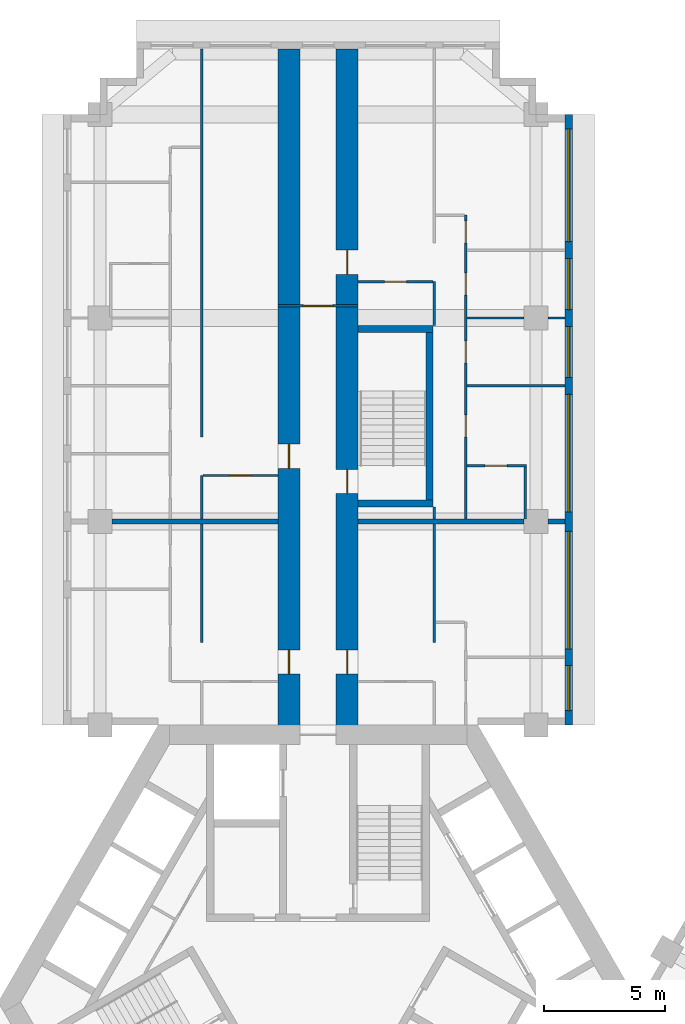
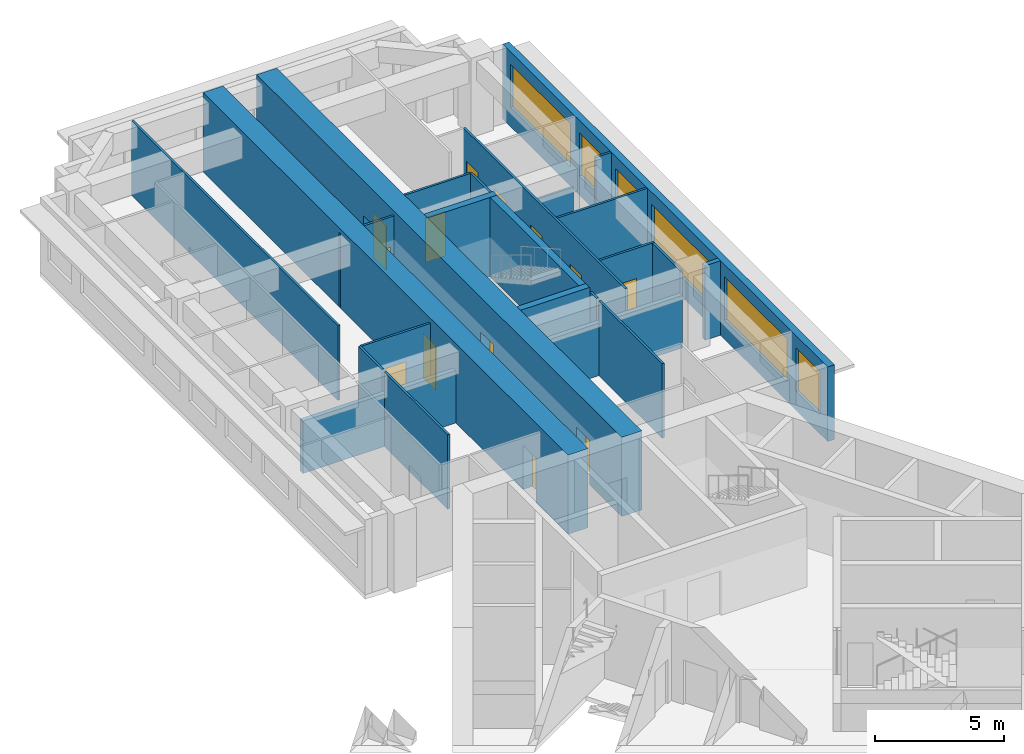
# One storey, part 9 of 13: 24 walls, 13 doors, 6 windows, 19 openings.
"""IFC4 building model written with IfcOpenShell, lengths in metres."""

import ifcopenshell
import ifcopenshell.guid

model = None  # the IFC model being written
_history = None  # IfcOwnerHistory: only IFC2X3 demands one
_inside = {}  # id of a spatial element -> (the spatial element, [elements in it])
_under = {}  # id of a project, library or spatial element -> (it, [spatial elements below it])
_declared = {}  # id of a project -> (the project, [libraries it declares])
_typed = {}  # id of a type object -> (the type object, [elements of that type])
_made_of = {}  # id of a material, layer set ... -> (it, [elements and type objects made of it])


def new_model(schema):
    """Start an empty IFC model of exactly this schema.

    Asked for "IFC4X3", IfcOpenShell would pick the latest addendum, in which some entities
    have other attributes; the version numbers below select the first issue.
    IFC2X3 requires an IfcOwnerHistory on every rooted entity: one is made here for all.
    """
    global model, _history
    if schema == "IFC4X3":
        model = ifcopenshell.file(schema_version=(4, 3, 0, 0))
    else:
        model = ifcopenshell.file(schema=schema)
    _inside.clear()
    _under.clear()
    _declared.clear()
    _typed.clear()
    _made_of.clear()
    _history = None
    if model.schema == "IFC2X3":
        org = make("IfcOrganization", Name="unknown")
        user = make(
            "IfcPersonAndOrganization",
            ThePerson=make("IfcPerson", FamilyName="unknown"),
            TheOrganization=org,
        )
        app = make(
            "IfcApplication",
            ApplicationDeveloper=org,
            Version="unknown",
            ApplicationFullName="unknown",
            ApplicationIdentifier="unknown",
        )
        _history = make(
            "IfcOwnerHistory",
            OwningUser=user,
            OwningApplication=app,
            ChangeAction="ADDED",
            CreationDate=0,
        )
    return model


def make(cls, **values):
    """One entity of the class cls with the attributes given. An attribute that is None is left unset."""
    return model.create_entity(
        cls, **{name: value for name, value in values.items() if value is not None}
    )


def rooted(cls, **values):
    """An entity with a GlobalId (a new one), such as an element, a storey or a relation."""
    return make(cls, GlobalId=ifcopenshell.guid.new(), OwnerHistory=_history, **values)


def si_unit(unit_type, name, prefix=None):
    """IfcSIUnit, for example si_unit("LENGTHUNIT", "METRE", prefix="MILLI")."""
    return make("IfcSIUnit", UnitType=unit_type, Prefix=prefix, Name=name)


def assignment(units):
    """IfcUnitAssignment: the units of a project."""
    return None if units is None else make("IfcUnitAssignment", Units=units)


def point(xyz):
    """IfcCartesianPoint."""
    return None if xyz is None else make("IfcCartesianPoint", Coordinates=xyz)


def direction(xyz):
    """IfcDirection."""
    return None if xyz is None else make("IfcDirection", DirectionRatios=xyz)


def frame(location, z_axis=None, x_axis=None):
    """IfcAxis2Placement3D, a coordinate frame: its origin and axes. An axis left out is left unset."""
    return make(
        "IfcAxis2Placement3D",
        Location=point(location),
        Axis=direction(z_axis),
        RefDirection=direction(x_axis),
    )


def frame_2d(location, x_axis=None):
    """IfcAxis2Placement2D, a coordinate frame in the plane: its origin and x axis."""
    return make(
        "IfcAxis2Placement2D", Location=point(location), RefDirection=direction(x_axis)
    )


def origin():
    """The frame at (0, 0, 0) with its axes left unset."""
    return frame((0.0, 0.0, 0.0))


def place(relative_to, where):
    """IfcLocalPlacement: puts the frame where relative to a parent placement (None: the world)."""
    return make(
        "IfcLocalPlacement", PlacementRelTo=relative_to, RelativePlacement=where
    )


def context(
    kind, dimensions, precision=None, world=None, true_north=None, identifier=None
):
    """IfcGeometricRepresentationContext, for example the 3D "Model" context."""
    return make(
        "IfcGeometricRepresentationContext",
        ContextIdentifier=identifier,
        ContextType=kind,
        CoordinateSpaceDimension=dimensions,
        Precision=precision,
        WorldCoordinateSystem=world,
        TrueNorth=true_north,
    )


def subcontext(parent, identifier, kind, view, scale=None):
    """IfcGeometricRepresentationSubContext, for example "Body" below "Model"."""
    return make(
        "IfcGeometricRepresentationSubContext",
        ContextIdentifier=identifier,
        ContextType=kind,
        ParentContext=parent,
        TargetScale=scale,
        TargetView=view,
    )


def project(units=None, contexts=None):
    """IfcProject with its units and contexts."""
    return rooted(
        "IfcProject",
        Name="project",
        RepresentationContexts=contexts,
        UnitsInContext=assignment(units),
    )


def spatial(cls, under=None, at=None, **own):
    """A site, building, storey or space (cls), placed at a placement, below another one or the project."""
    s = rooted(cls, ObjectPlacement=at, **own)
    if under is not None:
        _under.setdefault(under.id(), (under, []))[1].append(s)
    return s


def profile(cls, at=None, kind="AREA", **sizes):
    """A parametric profile (cls). Its sizes go by their IFC names, for example OverallWidth=200.0."""
    return make(cls, ProfileType=kind, Position=at, **sizes)


def rectangle(**sizes):
    """IfcRectangleProfileDef."""
    return profile("IfcRectangleProfileDef", **sizes)


def extrude(swept, where, along, depth):
    """IfcExtrudedAreaSolid: the profile swept, set in the frame where, extruded along a direction by depth."""
    return make(
        "IfcExtrudedAreaSolid",
        SweptArea=swept,
        Position=where,
        ExtrudedDirection=direction(along),
        Depth=depth,
    )


def shape(context_of_items, identifier, shape_type, items):
    """IfcShapeRepresentation: the items that make up one representation, for example the "Body"."""
    return make(
        "IfcShapeRepresentation",
        ContextOfItems=context_of_items,
        RepresentationIdentifier=identifier,
        RepresentationType=shape_type,
        Items=items,
    )


def material(Name=None, Category=None):
    """IfcMaterial."""
    return make("IfcMaterial", Name=Name, Category=Category)


def layer(
    of_material, thickness, ventilated=None, Name=None, Category=None, Priority=None
):
    """IfcMaterialLayer: one layer of a wall or slab, of a material (None: an air gap)."""
    return make(
        "IfcMaterialLayer",
        Material=of_material,
        LayerThickness=thickness,
        IsVentilated=ventilated,
        Name=Name,
        Category=Category,
        Priority=Priority,
    )


def layer_set(layers, Name=None):
    """IfcMaterialLayerSet."""
    return make("IfcMaterialLayerSet", MaterialLayers=layers, LayerSetName=Name)


def made_of(thing, what):
    """Note that an element or type object is made of a material, layer set ...; save() writes the relation."""
    if what is not None:
        _made_of.setdefault(what.id(), (what, []))[1].append(thing)
    return thing


def type_object(cls, material=None, **own):
    """A type object (cls), such as IfcWallType, which elements share."""
    return made_of(rooted(cls, **own), material)


def element(
    cls,
    number,
    at=None,
    inside=None,
    cuts=None,
    type_object=None,
    material=None,
    context=None,
    identifier="Body",
    shape_type=None,
    held_by="IfcProductDefinitionShape",
    body=None,
    shapes=None,
    **own,
):
    """One element of the class cls, such as IfcWall. Its Tag is "e" and its number.

    at: its placement. inside: the storey or other place that contains it. cuts: it is an
    opening in that element (IfcRelVoidsElement). A single representation is given by context,
    identifier, shape_type and body (its items); several are given by shapes. held_by: the class
    of the entity that holds the representations. save() writes the other relations.
    """
    e = rooted(cls, Tag="e%d" % number, ObjectPlacement=at, **own)
    if body is not None:
        shapes = [shape(context, identifier, shape_type, body)]
    if shapes is not None:
        e.Representation = make(held_by, Representations=shapes)
    if inside is not None:
        _inside.setdefault(inside.id(), (inside, []))[1].append(e)
    if cuts is not None:
        rooted(
            "IfcRelVoidsElement", RelatingBuildingElement=cuts, RelatedOpeningElement=e
        )
    if type_object is not None:
        _typed.setdefault(type_object.id(), (type_object, []))[1].append(e)
    return made_of(e, material)


def fill(opening, filler):
    """IfcRelFillsElement: the door or window that sits in an opening."""
    return rooted(
        "IfcRelFillsElement",
        RelatingOpeningElement=opening,
        RelatedBuildingElement=filler,
    )


def aggregate(whole, parts):
    """IfcRelAggregates: a whole, such as a stair, and the parts it consists of."""
    return rooted("IfcRelAggregates", RelatingObject=whole, RelatedObjects=parts)


def save(model, path):
    """Write the relations noted so far, then the file.

    IfcRelAggregates (storeys below a building ...), IfcRelContainedInSpatialStructure (elements
    in a storey), IfcRelDefinesByType, IfcRelAssociatesMaterial and IfcRelDeclares: one each for
    every whole, place, type object, material and project.
    """
    for whole, parts in _under.values():
        aggregate(whole, parts)
    for where, things in _inside.values():
        rooted(
            "IfcRelContainedInSpatialStructure",
            RelatedElements=things,
            RelatingStructure=where,
        )
    for kind, things in _typed.values():
        rooted("IfcRelDefinesByType", RelatedObjects=things, RelatingType=kind)
    for what, things in _made_of.values():
        rooted("IfcRelAssociatesMaterial", RelatedObjects=things, RelatingMaterial=what)
    for by, libraries in _declared.values():
        rooted("IfcRelDeclares", RelatingContext=by, RelatedDefinitions=libraries)
    model.write(path)


model = new_model("IFC4")

# Units and contexts
model_context = context("Model", 3, precision=1e-05, world=origin(), true_north=direction((0.0, 1.0)))
body_context = subcontext(model_context, "Body", "Model", "MODEL_VIEW")
ifc_project = project(units=[si_unit("LENGTHUNIT", "METRE"), si_unit("AREAUNIT", "SQUARE_METRE"), si_unit("VOLUMEUNIT", "CUBIC_METRE"), si_unit("PLANEANGLEUNIT", "RADIAN"), si_unit("MASSUNIT", "GRAM", prefix="KILO")], contexts=[model_context])

# Site, building, storey
site_placement = place(None, origin())
site = spatial("IfcSite", under=ifc_project, at=site_placement, CompositionType="ELEMENT")
building_placement = place(site_placement, origin())
building = spatial("IfcBuilding", under=site, at=building_placement, Name="Impinga Residences", CompositionType="ELEMENT")
storey_placement = place(building_placement, frame((0.0, 0.0, 151.0)))
storey = spatial("IfcBuildingStorey", under=building, at=storey_placement, Name="L37", CompositionType="ELEMENT", Elevation=151.0)

# Wall, openings, doors
ifc_material_1 = material(Name="Concrete C60/75", Category="concrete")
ifc_layer_1 = layer(ifc_material_1, 0.89990234375)
ifc_layer_set_1 = layer_set([ifc_layer_1], Name="Concrete C60/75")
wall_type_1 = type_object("IfcWallType", Name="BW2 corridor buttress wall, L24 to L44 900", PredefinedType="SHEAR", material=ifc_layer_set_1)
wall_1_placement = place(storey_placement, frame((-1.199951171875, 11.031494140625, 0.0), z_axis=(0.0, 0.0, 1.0), x_axis=(0.0, 1.0, 0.0)))
wall_1 = element("IfcWall", 1, at=wall_1_placement, inside=storey, type_object=wall_type_1, Name="Corridor wall BW2 NC L37", PredefinedType="SHEAR", context=body_context, shape_type="SweptSolid", body=[
    extrude(rectangle(XDim=28.300048828125, YDim=0.89990234375, at=frame_2d((14.14990234375, 0.0))), origin(), (0.0, 0.0, 1.0), 3.75),
])
opening_1_placement = place(wall_1_placement, frame((2.5, 0.0, 0.0)))
opening_1 = element("IfcOpeningElement", 2, at=opening_1_placement, cuts=wall_1, Name="Opening D1", PredefinedType="OPENING", context=body_context, shape_type="SweptSolid", body=[
    extrude(rectangle(XDim=1.0, YDim=2.10009765625, at=frame_2d((0.5, 1.050048828125))), frame((0.0, 0.4599609375, 0.0), z_axis=(0.0, -1.0, 0.0), x_axis=(1.0, 0.0, 0.0)), (0.0, 0.0, 1.0), 0.919921875),
])
opening_2_placement = place(wall_1_placement, frame((11.0, 0.0, 0.0)))
opening_2 = element("IfcOpeningElement", 3, at=opening_2_placement, cuts=wall_1, Name="Opening D1", PredefinedType="OPENING", context=body_context, shape_type="SweptSolid", body=[
    extrude(rectangle(XDim=1.0, YDim=2.10009765625, at=frame_2d((0.5, 1.050048828125))), frame((0.0, 0.4599609375, 0.0), z_axis=(0.0, -1.0, 0.0), x_axis=(1.0, 0.0, 0.0)), (0.0, 0.0, 1.0), 0.919921875),
])
ifc_material_2 = material(Name="Timber door set", Category="wood")
door_type_1 = type_object("IfcDoorType", Name="D1 apartment entrance door 1000x2100", OperationType="SINGLE_SWING_LEFT", PredefinedType="DOOR", material=ifc_material_2)
door_1_placement = place(opening_1_placement, origin())
door_1 = element("IfcDoor", 4, at=door_1_placement, inside=storey, type_object=door_type_1, Name="Apartment L37-NA1 entrance", OperationType="SINGLE_SWING_LEFT", OverallHeight=2.10009765625, OverallWidth=1.0, PredefinedType="DOOR", context=body_context, shape_type="SweptSolid", body=[
    extrude(rectangle(XDim=1.0, YDim=2.10009765625, at=frame_2d((0.5, 1.050048828125))), frame((0.0, 0.02490234375, 0.0), z_axis=(0.0, -1.0, 0.0), x_axis=(1.0, 0.0, 0.0)), (0.0, 0.0, 1.0), 0.050048828125),
])
fill(opening_1, door_1)
door_2_placement = place(opening_2_placement, origin())
door_2 = element("IfcDoor", 5, at=door_2_placement, inside=storey, type_object=door_type_1, Name="Apartment L37-NA2 entrance", OperationType="SINGLE_SWING_LEFT", OverallHeight=2.10009765625, OverallWidth=1.0, PredefinedType="DOOR", context=body_context, shape_type="SweptSolid", body=[
    extrude(rectangle(XDim=1.0, YDim=2.10009765625, at=frame_2d((0.5, 1.050048828125))), frame((0.0, 0.02490234375, 0.0), z_axis=(0.0, -1.0, 0.0), x_axis=(1.0, 0.0, 0.0)), (0.0, 0.0, 1.0), 0.050048828125),
])
fill(opening_2, door_2)

wall_2_placement = place(storey_placement, frame((1.199951171875, 11.031494140625, 0.0), z_axis=(0.0, 0.0, 1.0), x_axis=(0.0, 1.0, 0.0)))
wall_2 = element("IfcWall", 6, at=wall_2_placement, inside=storey, type_object=wall_type_1, Name="Corridor wall BW2 ND L37", PredefinedType="SHEAR", context=body_context, shape_type="SweptSolid", body=[
    extrude(rectangle(XDim=28.300048828125, YDim=0.89990234375, at=frame_2d((14.14990234375, 0.0))), origin(), (0.0, 0.0, 1.0), 3.75),
])
opening_3_placement = place(wall_2_placement, frame((9.949951171875, 0.0, 0.0)))
opening_3 = element("IfcOpeningElement", 7, at=opening_3_placement, cuts=wall_2, Name="Opening D5", PredefinedType="OPENING", context=body_context, shape_type="SweptSolid", body=[
    extrude(rectangle(XDim=1.0, YDim=2.10009765625, at=frame_2d((0.5, 1.050048828125))), frame((0.0, 0.4599609375, 0.0), z_axis=(0.0, -1.0, 0.0), x_axis=(1.0, 0.0, 0.0)), (0.0, 0.0, 1.0), 0.919921875),
])
opening_4_placement = place(wall_2_placement, frame((2.5, 0.0, 0.0)))
opening_4 = element("IfcOpeningElement", 8, at=opening_4_placement, cuts=wall_2, Name="Opening D1", PredefinedType="OPENING", context=body_context, shape_type="SweptSolid", body=[
    extrude(rectangle(XDim=1.0, YDim=2.10009765625, at=frame_2d((0.5, 1.050048828125))), frame((0.0, 0.4599609375, 0.0), z_axis=(0.0, -1.0, 0.0), x_axis=(1.0, 0.0, 0.0)), (0.0, 0.0, 1.0), 0.919921875),
])
opening_5_placement = place(wall_2_placement, frame((19.0, 0.0, 0.0)))
opening_5 = element("IfcOpeningElement", 9, at=opening_5_placement, cuts=wall_2, Name="Opening D1", PredefinedType="OPENING", context=body_context, shape_type="SweptSolid", body=[
    extrude(rectangle(XDim=1.0, YDim=2.10009765625, at=frame_2d((0.5, 1.050048828125))), frame((0.0, 0.4599609375, 0.0), z_axis=(0.0, -1.0, 0.0), x_axis=(1.0, 0.0, 0.0)), (0.0, 0.0, 1.0), 0.919921875),
])
door_3_placement = place(opening_4_placement, origin())
door_3 = element("IfcDoor", 10, at=door_3_placement, inside=storey, type_object=door_type_1, Name="Apartment L37-NF1 entrance", OperationType="SINGLE_SWING_LEFT", OverallHeight=2.10009765625, OverallWidth=1.0, PredefinedType="DOOR", context=body_context, shape_type="SweptSolid", body=[
    extrude(rectangle(XDim=1.0, YDim=2.10009765625, at=frame_2d((0.5, 1.050048828125))), frame((0.0, 0.02490234375, 0.0), z_axis=(0.0, -1.0, 0.0), x_axis=(1.0, 0.0, 0.0)), (0.0, 0.0, 1.0), 0.050048828125),
])
fill(opening_4, door_3)
door_4_placement = place(opening_5_placement, origin())
door_4 = element("IfcDoor", 11, at=door_4_placement, inside=storey, type_object=door_type_1, Name="Apartment L37-NF2 entrance", OperationType="SINGLE_SWING_RIGHT", OverallHeight=2.10009765625, OverallWidth=1.0, PredefinedType="DOOR", context=body_context, shape_type="SweptSolid", body=[
    extrude(rectangle(XDim=1.0, YDim=2.10009765625, at=frame_2d((0.5, 1.050048828125))), frame((0.0, 0.02490234375, 0.0), z_axis=(0.0, -1.0, 0.0), x_axis=(1.0, 0.0, 0.0)), (0.0, 0.0, 1.0), 0.050048828125),
])
fill(opening_5, door_4)
door_type_2 = type_object("IfcDoorType", Name="D5 stair door 1000x2100", OperationType="SINGLE_SWING_LEFT", PredefinedType="DOOR", material=ifc_material_2)
door_5_placement = place(opening_3_placement, origin())
door_5 = element("IfcDoor", 12, at=door_5_placement, inside=storey, type_object=door_type_2, Name="Wing stair door N", OperationType="SINGLE_SWING_LEFT", OverallHeight=2.10009765625, OverallWidth=1.0, PredefinedType="DOOR", context=body_context, shape_type="SweptSolid", body=[
    extrude(rectangle(XDim=1.0, YDim=2.10009765625, at=frame_2d((0.5, 1.050048828125))), frame((0.0, 0.02490234375, 0.0), z_axis=(0.0, -1.0, 0.0), x_axis=(1.0, 0.0, 0.0)), (0.0, 0.0, 1.0), 0.050048828125),
])
fill(opening_3, door_5)

# Wall, opening, door
ifc_material_3 = material(Name="Concrete blockwork", Category="masonry")
ifc_layer_2 = layer(ifc_material_3, 0.10009765625)
ifc_layer_set_2 = layer_set([ifc_layer_2], Name="CP1 core room partition, blockwork 100")
wall_type_2 = type_object("IfcWallType", Name="CP1 core room partition, blockwork 100", PredefinedType="PARTITIONING", material=ifc_layer_set_2)
wall_3_placement = place(storey_placement, frame((-1.64990234375, 28.72998046875, 0.0), z_axis=(0.0, 0.0, 1.0), x_axis=(1.0, 0.0, 0.0)))
wall_3 = element("IfcWall", 13, at=wall_3_placement, inside=storey, type_object=wall_type_2, Name="Core room partition, blockwork L37:N:SCR", PredefinedType="PARTITIONING", context=body_context, shape_type="SweptSolid", body=[
    extrude(rectangle(XDim=3.2998046875, YDim=0.10009765625, at=frame_2d((1.64990234375, 0.0))), origin(), (0.0, 0.0, 1.0), 3.530029296875),
])
opening_6_placement = place(wall_3_placement, frame((1.050048828125, 0.0, 0.0)))
opening_6 = element("IfcOpeningElement", 14, at=opening_6_placement, cuts=wall_3, Name="Opening D3", PredefinedType="OPENING", context=body_context, shape_type="SweptSolid", body=[
    extrude(rectangle(XDim=1.199951171875, YDim=2.10009765625, at=frame_2d((0.60009765625, 1.050048828125))), frame((0.0, 0.06005859375, 0.0), z_axis=(0.0, -1.0, 0.0), x_axis=(1.0, 0.0, 0.0)), (0.0, 0.0, 1.0), 0.1201171875),
])
door_type_3 = type_object("IfcDoorType", Name="D3 room door, leaf and a half 1200x2100", OperationType="DOUBLE_SWING_LEFT", PredefinedType="DOOR", material=ifc_material_2)
door_6_placement = place(opening_6_placement, origin())
door_6 = element("IfcDoor", 15, at=door_6_placement, inside=storey, type_object=door_type_3, Name="Corridor smoke door N", OperationType="DOUBLE_SWING_LEFT", OverallHeight=2.10009765625, OverallWidth=1.199951171875, PredefinedType="DOOR", context=body_context, shape_type="SweptSolid", body=[
    extrude(rectangle(XDim=1.199951171875, YDim=2.10009765625, at=frame_2d((0.60009765625, 1.050048828125))), frame((0.0, 0.02490234375, 0.0), z_axis=(0.0, -1.0, 0.0), x_axis=(1.0, 0.0, 0.0)), (0.0, 0.0, 1.0), 0.050048828125),
])
fill(opening_6, door_6)

# Wall, openings, windows
ifc_material_4 = material(Name="Terracotta rainscreen on blockwork", Category="masonry")
ifc_layer_3 = layer(ifc_material_4, 0.300048828125)
ifc_layer_set_3 = layer_set([ifc_layer_3], Name="EW1 external wall, terracotta rainscreen on blockwork 300")
wall_type_3 = type_object("IfcWallType", Name="EW1 external wall, terracotta rainscreen on blockwork 300", PredefinedType="SOLIDWALL", material=ifc_layer_set_3)
wall_4_placement = place(storey_placement, frame((10.35009765625, 36.631591796875, 0.0), z_axis=(0.0, 0.0, 1.0), x_axis=(0.0, -1.0, 0.0)))
wall_4 = element("IfcWall", 16, at=wall_4_placement, inside=storey, type_object=wall_type_3, Name="External wall EW1 L37", PredefinedType="SOLIDWALL", context=body_context, shape_type="SweptSolid", body=[
    extrude(rectangle(XDim=25.199951171875, YDim=0.300048828125, at=frame_2d((12.60009765625, 0.0))), origin(), (0.0, 0.0, 1.0), 3.530029296875),
])
opening_7_placement = place(wall_4_placement, frame((0.60009765625, 0.0, 0.89990234375)))
opening_7 = element("IfcOpeningElement", 17, at=opening_7_placement, cuts=wall_4, Name="Opening W10", PredefinedType="OPENING", context=body_context, shape_type="SweptSolid", body=[
    extrude(rectangle(XDim=4.64990234375, YDim=2.050048828125, at=frame_2d((2.324951171875, 1.02490234375))), frame((0.0, 0.159912109375, 0.0), z_axis=(0.0, -1.0, 0.0), x_axis=(1.0, 0.0, 0.0)), (0.0, 0.0, 1.0), 0.320068359375),
])
opening_8_placement = place(wall_4_placement, frame((5.949951171875, 0.0, 0.89990234375)))
opening_8 = element("IfcOpeningElement", 18, at=opening_8_placement, cuts=wall_4, Name="Opening W9", PredefinedType="OPENING", context=body_context, shape_type="SweptSolid", body=[
    extrude(rectangle(XDim=2.10009765625, YDim=2.050048828125, at=frame_2d((1.050048828125, 1.02490234375))), frame((0.0, 0.159912109375, 0.0), z_axis=(0.0, -1.0, 0.0), x_axis=(1.0, 0.0, 0.0)), (0.0, 0.0, 1.0), 0.320068359375),
])
opening_9_placement = place(wall_4_placement, frame((8.75, 0.0, 0.89990234375)))
opening_9 = element("IfcOpeningElement", 19, at=opening_9_placement, cuts=wall_4, Name="Opening W9", PredefinedType="OPENING", context=body_context, shape_type="SweptSolid", body=[
    extrude(rectangle(XDim=2.10009765625, YDim=2.050048828125, at=frame_2d((1.050048828125, 1.02490234375))), frame((0.0, 0.159912109375, 0.0), z_axis=(0.0, -1.0, 0.0), x_axis=(1.0, 0.0, 0.0)), (0.0, 0.0, 1.0), 0.320068359375),
])
opening_10_placement = place(wall_4_placement, frame((11.550048828125, 0.0, 0.89990234375)))
opening_10 = element("IfcOpeningElement", 20, at=opening_10_placement, cuts=wall_4, Name="Opening W6", PredefinedType="OPENING", context=body_context, shape_type="SweptSolid", body=[
    extrude(rectangle(XDim=4.85009765625, YDim=2.050048828125, at=frame_2d((2.425048828125, 1.02490234375))), frame((0.0, 0.159912109375, 0.0), z_axis=(0.0, -1.0, 0.0), x_axis=(1.0, 0.0, 0.0)), (0.0, 0.0, 1.0), 0.320068359375),
])
opening_11_placement = place(wall_4_placement, frame((17.199951171875, 0.0, 0.89990234375)))
opening_11 = element("IfcOpeningElement", 21, at=opening_11_placement, cuts=wall_4, Name="Opening W6", PredefinedType="OPENING", context=body_context, shape_type="SweptSolid", body=[
    extrude(rectangle(XDim=4.85009765625, YDim=2.050048828125, at=frame_2d((2.425048828125, 1.02490234375))), frame((0.0, 0.159912109375, 0.0), z_axis=(0.0, -1.0, 0.0), x_axis=(1.0, 0.0, 0.0)), (0.0, 0.0, 1.0), 0.320068359375),
])
opening_12_placement = place(wall_4_placement, frame((22.75, 0.0, 0.89990234375)))
opening_12 = element("IfcOpeningElement", 22, at=opening_12_placement, cuts=wall_4, Name="Opening W15", PredefinedType="OPENING", context=body_context, shape_type="SweptSolid", body=[
    extrude(rectangle(XDim=1.85009765625, YDim=2.050048828125, at=frame_2d((0.925048828125, 1.02490234375))), frame((0.0, 0.159912109375, 0.0), z_axis=(0.0, -1.0, 0.0), x_axis=(1.0, 0.0, 0.0)), (0.0, 0.0, 1.0), 0.320068359375),
])
ifc_material_5 = material(Name="Aluminium window, clear double glazing", Category="aluminium")
window_type_1 = type_object("IfcWindowType", Name="W10 ribbon window 4650x2050", PartitioningType="SINGLE_PANEL", PredefinedType="WINDOW", material=ifc_material_5)
window_1_placement = place(opening_7_placement, origin())
window_1 = element("IfcWindow", 23, at=window_1_placement, inside=storey, type_object=window_type_1, Name="Window L37", OverallHeight=2.050048828125, OverallWidth=4.64990234375, PartitioningType="SINGLE_PANEL", PredefinedType="WINDOW", context=body_context, shape_type="SweptSolid", body=[
    extrude(rectangle(XDim=4.64990234375, YDim=2.050048828125, at=frame_2d((2.324951171875, 1.02490234375))), frame((0.0, 0.030029296875, 0.0), z_axis=(0.0, -1.0, 0.0), x_axis=(1.0, 0.0, 0.0)), (0.0, 0.0, 1.0), 0.06005859375),
])
fill(opening_7, window_1)
window_type_2 = type_object("IfcWindowType", Name="W15 ribbon window 1850x2050", PartitioningType="SINGLE_PANEL", PredefinedType="WINDOW", material=ifc_material_5)
window_2_placement = place(opening_12_placement, origin())
window_2 = element("IfcWindow", 24, at=window_2_placement, inside=storey, type_object=window_type_2, Name="Window L37", OverallHeight=2.050048828125, OverallWidth=1.85009765625, PartitioningType="SINGLE_PANEL", PredefinedType="WINDOW", context=body_context, shape_type="SweptSolid", body=[
    extrude(rectangle(XDim=1.85009765625, YDim=2.050048828125, at=frame_2d((0.925048828125, 1.02490234375))), frame((0.0, 0.030029296875, 0.0), z_axis=(0.0, -1.0, 0.0), x_axis=(1.0, 0.0, 0.0)), (0.0, 0.0, 1.0), 0.06005859375),
])
fill(opening_12, window_2)
window_type_3 = type_object("IfcWindowType", Name="W6 ribbon window 4850x2050", PartitioningType="SINGLE_PANEL", PredefinedType="WINDOW", material=ifc_material_5)
window_3_placement = place(opening_10_placement, origin())
window_3 = element("IfcWindow", 25, at=window_3_placement, inside=storey, type_object=window_type_3, Name="Window L37", OverallHeight=2.050048828125, OverallWidth=4.85009765625, PartitioningType="SINGLE_PANEL", PredefinedType="WINDOW", context=body_context, shape_type="SweptSolid", body=[
    extrude(rectangle(XDim=4.85009765625, YDim=2.050048828125, at=frame_2d((2.425048828125, 1.02490234375))), frame((0.0, 0.030029296875, 0.0), z_axis=(0.0, -1.0, 0.0), x_axis=(1.0, 0.0, 0.0)), (0.0, 0.0, 1.0), 0.06005859375),
])
fill(opening_10, window_3)
window_4_placement = place(opening_11_placement, origin())
window_4 = element("IfcWindow", 26, at=window_4_placement, inside=storey, type_object=window_type_3, Name="Window L37", OverallHeight=2.050048828125, OverallWidth=4.85009765625, PartitioningType="SINGLE_PANEL", PredefinedType="WINDOW", context=body_context, shape_type="SweptSolid", body=[
    extrude(rectangle(XDim=4.85009765625, YDim=2.050048828125, at=frame_2d((2.425048828125, 1.02490234375))), frame((0.0, 0.030029296875, 0.0), z_axis=(0.0, -1.0, 0.0), x_axis=(1.0, 0.0, 0.0)), (0.0, 0.0, 1.0), 0.06005859375),
])
fill(opening_11, window_4)
window_type_4 = type_object("IfcWindowType", Name="W9 ribbon window 2100x2050", PartitioningType="SINGLE_PANEL", PredefinedType="WINDOW", material=ifc_material_5)
window_5_placement = place(opening_8_placement, origin())
window_5 = element("IfcWindow", 27, at=window_5_placement, inside=storey, type_object=window_type_4, Name="Window L37", OverallHeight=2.050048828125, OverallWidth=2.10009765625, PartitioningType="SINGLE_PANEL", PredefinedType="WINDOW", context=body_context, shape_type="SweptSolid", body=[
    extrude(rectangle(XDim=2.10009765625, YDim=2.050048828125, at=frame_2d((1.050048828125, 1.02490234375))), frame((0.0, 0.030029296875, 0.0), z_axis=(0.0, -1.0, 0.0), x_axis=(1.0, 0.0, 0.0)), (0.0, 0.0, 1.0), 0.06005859375),
])
fill(opening_8, window_5)
window_6_placement = place(opening_9_placement, origin())
window_6 = element("IfcWindow", 28, at=window_6_placement, inside=storey, type_object=window_type_4, Name="Window L37", OverallHeight=2.050048828125, OverallWidth=2.10009765625, PartitioningType="SINGLE_PANEL", PredefinedType="WINDOW", context=body_context, shape_type="SweptSolid", body=[
    extrude(rectangle(XDim=2.10009765625, YDim=2.050048828125, at=frame_2d((1.050048828125, 1.02490234375))), frame((0.0, 0.030029296875, 0.0), z_axis=(0.0, -1.0, 0.0), x_axis=(1.0, 0.0, 0.0)), (0.0, 0.0, 1.0), 0.06005859375),
])
fill(opening_9, window_6)

# Walls
ifc_material_6 = material(Name="Gypsum board on steel studs", Category="steel")
ifc_layer_4 = layer(ifc_material_6, 0.10009765625)
ifc_layer_set_4 = layer_set([ifc_layer_4], Name="Gypsum board on steel studs")
wall_type_4 = type_object("IfcWallType", Name="IP1 partition 100", PredefinedType="PARTITIONING", material=ifc_layer_set_4)
wall_5_placement = place(storey_placement, frame((-4.800048828125, 14.83154296875, 0.0), z_axis=(0.0, 0.0, 1.0), x_axis=(0.0, 1.0, 0.0)))
element("IfcWall", 29, at=wall_5_placement, inside=storey, type_object=wall_type_4, Name="Partition L37-NA1:DIV1", PredefinedType="PARTITIONING", context=body_context, shape_type="SweptSolid", body=[
    extrude(rectangle(XDim=4.89990234375, YDim=0.10009765625, at=frame_2d((2.449951171875, 0.0))), origin(), (0.0, 0.0, 1.0), 3.530029296875),
])
wall_6_placement = place(storey_placement, frame((-4.800048828125, 19.931640625, 0.0), z_axis=(0.0, 0.0, 1.0), x_axis=(0.0, 1.0, 0.0)))
element("IfcWall", 30, at=wall_6_placement, inside=storey, type_object=wall_type_4, Name="Partition L37-NA2:DIV0", PredefinedType="PARTITIONING", context=body_context, shape_type="SweptSolid", body=[
    extrude(rectangle(XDim=1.7998046875, YDim=0.10009765625, at=frame_2d((0.89990234375, 0.0))), origin(), (0.0, 0.0, 1.0), 3.530029296875),
])
wall_7_placement = place(storey_placement, frame((-4.800048828125, 23.33154296875, 0.0), z_axis=(0.0, 0.0, 1.0), x_axis=(0.0, 1.0, 0.0)))
element("IfcWall", 31, at=wall_7_placement, inside=storey, type_object=wall_type_4, Name="Partition L37-NA2:DIV1", PredefinedType="PARTITIONING", context=body_context, shape_type="SweptSolid", body=[
    extrude(rectangle(XDim=16.0, YDim=0.10009765625, at=frame_2d((8.0, 0.0))), origin(), (0.0, 0.0, 1.0), 3.530029296875),
])

# Wall, opening, door
wall_8_placement = place(storey_placement, frame((-1.64990234375, 21.7314453125, 0.0), z_axis=(0.0, 0.0, 1.0), x_axis=(-1.0, 0.0, 0.0)))
wall_8 = element("IfcWall", 32, at=wall_8_placement, inside=storey, type_object=wall_type_4, Name="Partition L37-NA2:IB1", PredefinedType="PARTITIONING", context=body_context, shape_type="SweptSolid", body=[
    extrude(rectangle(XDim=3.10009765625, YDim=0.10009765625, at=frame_2d((1.550048828125, 0.0))), origin(), (0.0, 0.0, 1.0), 3.530029296875),
])
opening_13_placement = place(wall_8_placement, frame((1.10009765625, 0.0, 0.0)))
opening_13 = element("IfcOpeningElement", 33, at=opening_13_placement, cuts=wall_8, Name="Opening D2", PredefinedType="OPENING", context=body_context, shape_type="SweptSolid", body=[
    extrude(rectangle(XDim=0.89990234375, YDim=2.10009765625, at=frame_2d((0.449951171875, 1.050048828125))), frame((0.0, 0.06005859375, 0.0), z_axis=(0.0, -1.0, 0.0), x_axis=(1.0, 0.0, 0.0)), (0.0, 0.0, 1.0), 0.1201171875),
])
door_type_4 = type_object("IfcDoorType", Name="D2 internal door 900x2100", OperationType="SINGLE_SWING_LEFT", PredefinedType="DOOR", material=ifc_material_2)
door_7_placement = place(opening_13_placement, origin())
door_7 = element("IfcDoor", 34, at=door_7_placement, inside=storey, type_object=door_type_4, Name="Apartment L37-NA2 bathroom door", OperationType="SINGLE_SWING_LEFT", OverallHeight=2.10009765625, OverallWidth=0.89990234375, PredefinedType="DOOR", context=body_context, shape_type="SweptSolid", body=[
    extrude(rectangle(XDim=0.89990234375, YDim=2.10009765625, at=frame_2d((0.449951171875, 1.050048828125))), frame((0.0, 0.02490234375, 0.0), z_axis=(0.0, -1.0, 0.0), x_axis=(1.0, 0.0, 0.0)), (0.0, 0.0, 1.0), 0.050048828125),
])
fill(opening_13, door_7)

# Walls
wall_9_placement = place(storey_placement, frame((4.800048828125, 14.83154296875, 0.0), z_axis=(0.0, 0.0, 1.0), x_axis=(0.0, 1.0, 0.0)))
element("IfcWall", 35, at=wall_9_placement, inside=storey, type_object=wall_type_4, Name="Partition L37-NF1:DIV1", PredefinedType="PARTITIONING", context=body_context, shape_type="SweptSolid", body=[
    extrude(rectangle(XDim=4.89990234375, YDim=0.10009765625, at=frame_2d((2.449951171875, 0.0))), origin(), (0.0, 0.0, 1.0), 3.530029296875),
])
wall_10_placement = place(storey_placement, frame((4.800048828125, 19.931640625, 0.0), z_axis=(0.0, 0.0, 1.0), x_axis=(0.0, 1.0, 0.0)))
element("IfcWall", 36, at=wall_10_placement, inside=storey, type_object=wall_type_4, Name="Partition L37-NF2:DIV0", PredefinedType="PARTITIONING", context=body_context, shape_type="SweptSolid", body=[
    extrude(rectangle(XDim=0.5, YDim=0.10009765625, at=frame_2d((0.25, 0.0))), origin(), (0.0, 0.0, 1.0), 3.530029296875),
])
wall_11_placement = place(storey_placement, frame((4.800048828125, 27.931640625, 0.0), z_axis=(0.0, 0.0, 1.0), x_axis=(0.0, 1.0, 0.0)))
element("IfcWall", 37, at=wall_11_placement, inside=storey, type_object=wall_type_4, Name="Partition L37-NF2:DIV1", PredefinedType="PARTITIONING", context=body_context, shape_type="SweptSolid", body=[
    extrude(rectangle(XDim=1.7998046875, YDim=0.10009765625, at=frame_2d((0.89990234375, 0.0))), origin(), (0.0, 0.0, 1.0), 3.530029296875),
])

# Wall, openings, doors
wall_12_placement = place(storey_placement, frame((6.10009765625, 19.931640625, 0.0), z_axis=(0.0, 0.0, 1.0), x_axis=(0.0, 1.0, 0.0)))
wall_12 = element("IfcWall", 38, at=wall_12_placement, inside=storey, type_object=wall_type_4, Name="Partition L37-NF2:STRIP", PredefinedType="PARTITIONING", context=body_context, shape_type="SweptSolid", body=[
    extrude(rectangle(XDim=12.5498046875, YDim=0.10009765625, at=frame_2d((6.27490234375, 0.0))), origin(), (0.0, 0.0, 1.0), 3.530029296875),
])
opening_14_placement = place(wall_12_placement, frame((3.39990234375, 0.0, 0.0)))
opening_14 = element("IfcOpeningElement", 39, at=opening_14_placement, cuts=wall_12, Name="Opening D2", PredefinedType="OPENING", context=body_context, shape_type="SweptSolid", body=[
    extrude(rectangle(XDim=0.89990234375, YDim=2.10009765625, at=frame_2d((0.449951171875, 1.050048828125))), frame((0.0, 0.06005859375, 0.0), z_axis=(0.0, -1.0, 0.0), x_axis=(1.0, 0.0, 0.0)), (0.0, 0.0, 1.0), 0.1201171875),
])
opening_15_placement = place(wall_12_placement, frame((6.449951171875, 0.0, 0.0)))
opening_15 = element("IfcOpeningElement", 40, at=opening_15_placement, cuts=wall_12, Name="Opening D2", PredefinedType="OPENING", context=body_context, shape_type="SweptSolid", body=[
    extrude(rectangle(XDim=0.89990234375, YDim=2.10009765625, at=frame_2d((0.449951171875, 1.050048828125))), frame((0.0, 0.06005859375, 0.0), z_axis=(0.0, -1.0, 0.0), x_axis=(1.0, 0.0, 0.0)), (0.0, 0.0, 1.0), 0.1201171875),
])
opening_16_placement = place(wall_12_placement, frame((9.25, 0.0, 0.0)))
opening_16 = element("IfcOpeningElement", 41, at=opening_16_placement, cuts=wall_12, Name="Opening D2", PredefinedType="OPENING", context=body_context, shape_type="SweptSolid", body=[
    extrude(rectangle(XDim=0.89990234375, YDim=2.10009765625, at=frame_2d((0.449951171875, 1.050048828125))), frame((0.0, 0.06005859375, 0.0), z_axis=(0.0, -1.0, 0.0), x_axis=(1.0, 0.0, 0.0)), (0.0, 0.0, 1.0), 0.1201171875),
])
opening_17_placement = place(wall_12_placement, frame((11.39990234375, 0.0, 0.0)))
opening_17 = element("IfcOpeningElement", 42, at=opening_17_placement, cuts=wall_12, Name="Opening D2", PredefinedType="OPENING", context=body_context, shape_type="SweptSolid", body=[
    extrude(rectangle(XDim=0.89990234375, YDim=2.10009765625, at=frame_2d((0.449951171875, 1.050048828125))), frame((0.0, 0.06005859375, 0.0), z_axis=(0.0, -1.0, 0.0), x_axis=(1.0, 0.0, 0.0)), (0.0, 0.0, 1.0), 0.1201171875),
])
door_8_placement = place(opening_14_placement, origin())
door_8 = element("IfcDoor", 43, at=door_8_placement, inside=storey, type_object=door_type_4, Name="Apartment L37-NF2 room door", OperationType="SINGLE_SWING_LEFT", OverallHeight=2.10009765625, OverallWidth=0.89990234375, PredefinedType="DOOR", context=body_context, shape_type="SweptSolid", body=[
    extrude(rectangle(XDim=0.89990234375, YDim=2.10009765625, at=frame_2d((0.449951171875, 1.050048828125))), frame((0.0, 0.02490234375, 0.0), z_axis=(0.0, -1.0, 0.0), x_axis=(1.0, 0.0, 0.0)), (0.0, 0.0, 1.0), 0.050048828125),
])
fill(opening_14, door_8)
door_9_placement = place(opening_15_placement, origin())
door_9 = element("IfcDoor", 44, at=door_9_placement, inside=storey, type_object=door_type_4, Name="Apartment L37-NF2 room door", OperationType="SINGLE_SWING_RIGHT", OverallHeight=2.10009765625, OverallWidth=0.89990234375, PredefinedType="DOOR", context=body_context, shape_type="SweptSolid", body=[
    extrude(rectangle(XDim=0.89990234375, YDim=2.10009765625, at=frame_2d((0.449951171875, 1.050048828125))), frame((0.0, 0.02490234375, 0.0), z_axis=(0.0, -1.0, 0.0), x_axis=(1.0, 0.0, 0.0)), (0.0, 0.0, 1.0), 0.050048828125),
])
fill(opening_15, door_9)
door_10_placement = place(opening_16_placement, origin())
door_10 = element("IfcDoor", 45, at=door_10_placement, inside=storey, type_object=door_type_4, Name="Apartment L37-NF2 room door", OperationType="SINGLE_SWING_RIGHT", OverallHeight=2.10009765625, OverallWidth=0.89990234375, PredefinedType="DOOR", context=body_context, shape_type="SweptSolid", body=[
    extrude(rectangle(XDim=0.89990234375, YDim=2.10009765625, at=frame_2d((0.449951171875, 1.050048828125))), frame((0.0, 0.02490234375, 0.0), z_axis=(0.0, -1.0, 0.0), x_axis=(1.0, 0.0, 0.0)), (0.0, 0.0, 1.0), 0.050048828125),
])
fill(opening_16, door_10)
door_11_placement = place(opening_17_placement, origin())
door_11 = element("IfcDoor", 46, at=door_11_placement, inside=storey, type_object=door_type_4, Name="Apartment L37-NF2 room door", OperationType="SINGLE_SWING_RIGHT", OverallHeight=2.10009765625, OverallWidth=0.89990234375, PredefinedType="DOOR", context=body_context, shape_type="SweptSolid", body=[
    extrude(rectangle(XDim=0.89990234375, YDim=2.10009765625, at=frame_2d((0.449951171875, 1.050048828125))), frame((0.0, 0.02490234375, 0.0), z_axis=(0.0, -1.0, 0.0), x_axis=(1.0, 0.0, 0.0)), (0.0, 0.0, 1.0), 0.050048828125),
])
fill(opening_17, door_11)

# Wall, opening, door
wall_13_placement = place(storey_placement, frame((1.64990234375, 29.7314453125, 0.0), z_axis=(0.0, 0.0, 1.0), x_axis=(1.0, 0.0, 0.0)))
wall_13 = element("IfcWall", 47, at=wall_13_placement, inside=storey, type_object=wall_type_4, Name="Partition L37-NF2:IB1", PredefinedType="PARTITIONING", context=body_context, shape_type="SweptSolid", body=[
    extrude(rectangle(XDim=3.10009765625, YDim=0.10009765625, at=frame_2d((1.550048828125, 0.0))), origin(), (0.0, 0.0, 1.0), 3.530029296875),
])
opening_18_placement = place(wall_13_placement, frame((1.10009765625, 0.0, 0.0)))
opening_18 = element("IfcOpeningElement", 48, at=opening_18_placement, cuts=wall_13, Name="Opening D2", PredefinedType="OPENING", context=body_context, shape_type="SweptSolid", body=[
    extrude(rectangle(XDim=0.89990234375, YDim=2.10009765625, at=frame_2d((0.449951171875, 1.050048828125))), frame((0.0, 0.06005859375, 0.0), z_axis=(0.0, -1.0, 0.0), x_axis=(1.0, 0.0, 0.0)), (0.0, 0.0, 1.0), 0.1201171875),
])
door_12_placement = place(opening_18_placement, origin())
door_12 = element("IfcDoor", 49, at=door_12_placement, inside=storey, type_object=door_type_4, Name="Apartment L37-NF2 bathroom door", OperationType="SINGLE_SWING_LEFT", OverallHeight=2.10009765625, OverallWidth=0.89990234375, PredefinedType="DOOR", context=body_context, shape_type="SweptSolid", body=[
    extrude(rectangle(XDim=0.89990234375, YDim=2.10009765625, at=frame_2d((0.449951171875, 1.050048828125))), frame((0.0, 0.02490234375, 0.0), z_axis=(0.0, -1.0, 0.0), x_axis=(1.0, 0.0, 0.0)), (0.0, 0.0, 1.0), 0.050048828125),
])
fill(opening_18, door_12)

# Walls
wall_14_placement = place(storey_placement, frame((6.14990234375, 25.431640625, 0.0), z_axis=(0.0, 0.0, 1.0), x_axis=(1.0, 0.0, 0.0)))
element("IfcWall", 50, at=wall_14_placement, inside=storey, type_object=wall_type_4, Name="Partition L37-NF2:OB1", PredefinedType="PARTITIONING", context=body_context, shape_type="SweptSolid", body=[
    extrude(rectangle(XDim=4.050048828125, YDim=0.10009765625, at=frame_2d((2.02490234375, 0.0))), origin(), (0.0, 0.0, 1.0), 3.530029296875),
])
wall_15_placement = place(storey_placement, frame((6.14990234375, 28.2314453125, 0.0), z_axis=(0.0, 0.0, 1.0), x_axis=(1.0, 0.0, 0.0)))
element("IfcWall", 51, at=wall_15_placement, inside=storey, type_object=wall_type_4, Name="Partition L37-NF2:OB2", PredefinedType="PARTITIONING", context=body_context, shape_type="SweptSolid", body=[
    extrude(rectangle(XDim=2.35009765625, YDim=0.10009765625, at=frame_2d((1.175048828125, 0.0))), origin(), (0.0, 0.0, 1.0), 2.47998046875),
])
wall_16_placement = place(storey_placement, frame((9.5, 28.2314453125, 0.0), z_axis=(0.0, 0.0, 1.0), x_axis=(1.0, 0.0, 0.0)))
element("IfcWall", 52, at=wall_16_placement, inside=storey, type_object=wall_type_4, Name="Partition L37-NF2:OB2b", PredefinedType="PARTITIONING", context=body_context, shape_type="SweptSolid", body=[
    extrude(rectangle(XDim=0.699951171875, YDim=0.10009765625, at=frame_2d((0.35009765625, 0.0))), origin(), (0.0, 0.0, 1.0), 3.530029296875),
])

# Wall, opening, door
wall_17_placement = place(storey_placement, frame((6.14990234375, 22.131591796875, 0.0), z_axis=(0.0, 0.0, 1.0), x_axis=(1.0, 0.0, 0.0)))
wall_17 = element("IfcWall", 53, at=wall_17_placement, inside=storey, type_object=wall_type_4, Name="Partition L37-NF2:EN1", PredefinedType="PARTITIONING", context=body_context, shape_type="SweptSolid", body=[
    extrude(rectangle(XDim=2.4501953125, YDim=0.10009765625, at=frame_2d((1.22509765625, 0.0))), origin(), (0.0, 0.0, 1.0), 3.530029296875),
])
opening_19_placement = place(wall_17_placement, frame((0.75, 0.0, 0.0)))
opening_19 = element("IfcOpeningElement", 54, at=opening_19_placement, cuts=wall_17, Name="Opening D2", PredefinedType="OPENING", context=body_context, shape_type="SweptSolid", body=[
    extrude(rectangle(XDim=0.89990234375, YDim=2.10009765625, at=frame_2d((0.449951171875, 1.050048828125))), frame((0.0, 0.06005859375, 0.0), z_axis=(0.0, -1.0, 0.0), x_axis=(1.0, 0.0, 0.0)), (0.0, 0.0, 1.0), 0.1201171875),
])
door_13_placement = place(opening_19_placement, origin())
door_13 = element("IfcDoor", 55, at=door_13_placement, inside=storey, type_object=door_type_4, Name="Apartment L37-NF2 en-suite door", OperationType="SINGLE_SWING_LEFT", OverallHeight=2.10009765625, OverallWidth=0.89990234375, PredefinedType="DOOR", context=body_context, shape_type="SweptSolid", body=[
    extrude(rectangle(XDim=0.89990234375, YDim=2.10009765625, at=frame_2d((0.449951171875, 1.050048828125))), frame((0.0, 0.02490234375, 0.0), z_axis=(0.0, -1.0, 0.0), x_axis=(1.0, 0.0, 0.0)), (0.0, 0.0, 1.0), 0.050048828125),
])
fill(opening_19, door_13)

# Walls
wall_18_placement = place(storey_placement, frame((8.550048828125, 19.931640625, 0.0), z_axis=(0.0, 0.0, 1.0), x_axis=(0.0, 1.0, 0.0)))
element("IfcWall", 56, at=wall_18_placement, inside=storey, type_object=wall_type_4, Name="Partition L37-NF2:EN2", PredefinedType="PARTITIONING", context=body_context, shape_type="SweptSolid", body=[
    extrude(rectangle(XDim=2.14990234375, YDim=0.10009765625, at=frame_2d((1.074951171875, 0.0))), origin(), (0.0, 0.0, 1.0), 3.530029296875),
])
ifc_layer_5 = layer(ifc_material_3, 0.199951171875)
ifc_layer_set_5 = layer_set([ifc_layer_5], Name="PW1 party wall between apartments 200")
wall_type_5 = type_object("IfcWallType", Name="PW1 party wall between apartments 200", PredefinedType="SOLIDWALL", material=ifc_layer_set_5)
for number, where, z_axis, x_axis, name in (
    (57, (-1.64990234375, 19.83154296875, 0.0), (0.0, 0.0, 1.0), (-1.0, 0.0, 0.0), "Party wall between apartments L37-NA1:PARTY"),
    (58, (1.64990234375, 19.83154296875, 0.0), (0.0, 0.0, 1.0), (1.0, 0.0, 0.0), "Party wall between apartments L37-NF1:PARTY"),
):
    element("IfcWall", number, at=place(storey_placement, frame(where, z_axis=z_axis, x_axis=x_axis)), inside=storey, type_object=wall_type_5, Name=name, PredefinedType="SOLIDWALL", context=body_context, shape_type="SweptSolid", body=[
        extrude(rectangle(XDim=6.85009765625, YDim=0.199951171875, at=frame_2d((3.425048828125, 0.0))), origin(), (0.0, 0.0, 1.0), 2.47998046875),
    ])
wall_19_placement = place(storey_placement, frame((9.5, 19.83154296875, 0.0), z_axis=(0.0, 0.0, 1.0), x_axis=(1.0, 0.0, 0.0)))
element("IfcWall", 59, at=wall_19_placement, inside=storey, type_object=wall_type_5, Name="Party wall between apartments L37-NF1:PARTYb", PredefinedType="SOLIDWALL", context=body_context, shape_type="SweptSolid", body=[
    extrude(rectangle(XDim=0.699951171875, YDim=0.199951171875, at=frame_2d((0.35009765625, 0.0))), origin(), (0.0, 0.0, 1.0), 3.530029296875),
])
ifc_layer_6 = layer(ifc_material_1, 0.300048828125)
ifc_layer_set_6 = layer_set([ifc_layer_6], Name="Concrete C60/75")
wall_type_6 = type_object("IfcWallType", Name="SE1 wing stair enclosure wall 300", PredefinedType="SOLIDWALL", material=ifc_layer_set_6)
for number, where, z_axis, x_axis, name in (
    (60, (1.64990234375, 20.58154296875, 0.0), (0.0, 0.0, 1.0), (1.0, 0.0, 0.0), "Stair enclosure wall SE1 N END0 L37"),
    (61, (1.64990234375, 27.781494140625, 0.0), (0.0, 0.0, 1.0), (1.0, 0.0, 0.0), "Stair enclosure wall SE1 N END1 L37"),
):
    element("IfcWall", number, at=place(storey_placement, frame(where, z_axis=z_axis, x_axis=x_axis)), inside=storey, type_object=wall_type_6, Name=name, PredefinedType="SOLIDWALL", context=body_context, shape_type="SweptSolid", body=[
        extrude(rectangle(XDim=3.10009765625, YDim=0.300048828125, at=frame_2d((1.550048828125, 0.0))), origin(), (0.0, 0.0, 1.0), 3.75),
    ])
wall_20_placement = place(storey_placement, frame((4.60009765625, 20.7314453125, 0.0), z_axis=(0.0, 0.0, 1.0), x_axis=(0.0, 1.0, 0.0)))
element("IfcWall", 62, at=wall_20_placement, inside=storey, type_object=wall_type_6, Name="Stair enclosure wall SE1 N OUT L37", PredefinedType="SOLIDWALL", context=body_context, shape_type="SweptSolid", body=[
    extrude(rectangle(XDim=6.900146484375, YDim=0.300048828125, at=frame_2d((3.4501953125, 0.0))), origin(), (0.0, 0.0, 1.0), 3.75),
])

save(model, "model.ifc")
